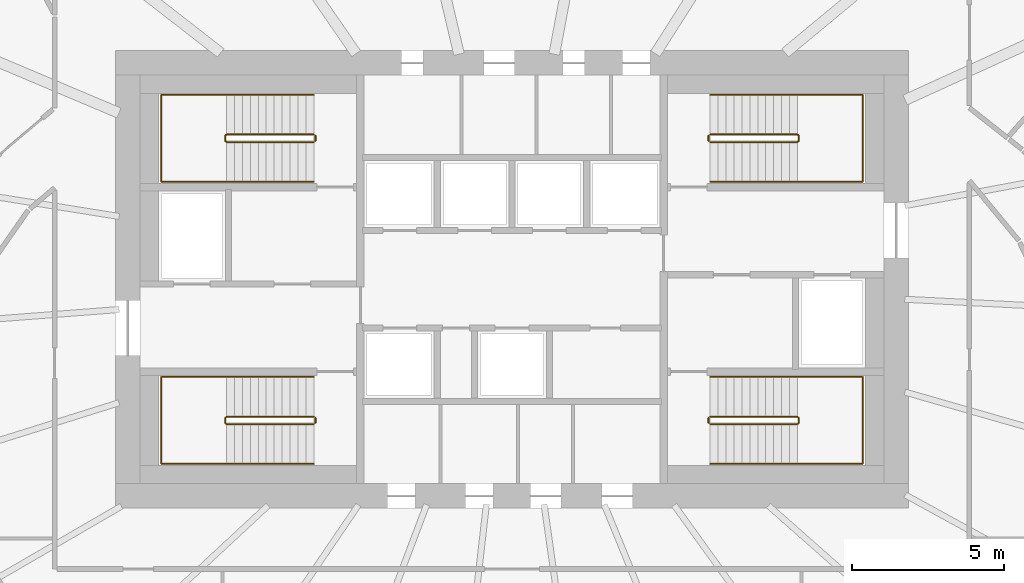
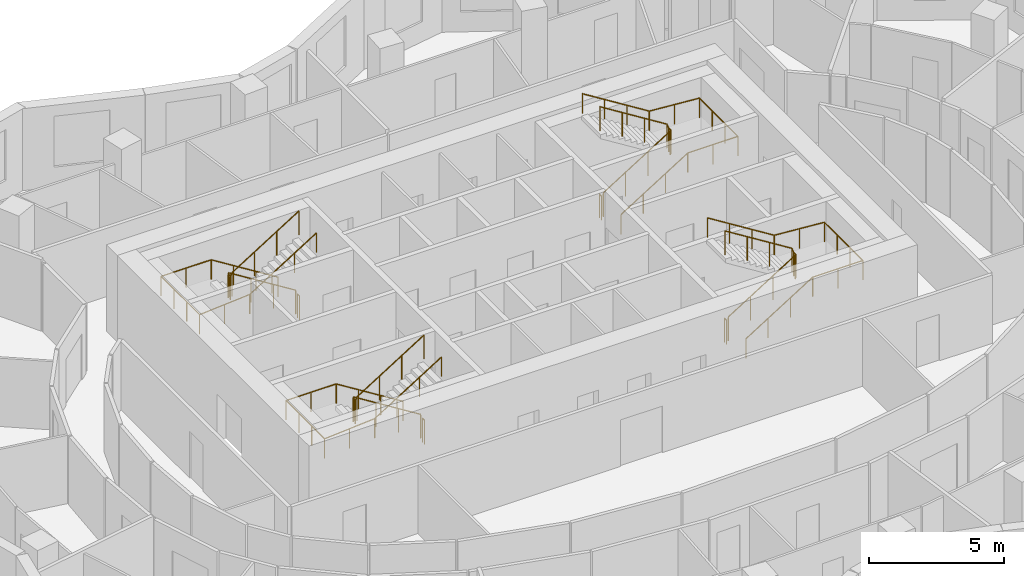
# One storey, part 11 of 11: 12 railings.
"""IFC4 building model written with IfcOpenShell, lengths in metres."""

from ifc_helpers import new_model, si_unit, direction, frame, origin, origin_2d, place, context, subcontext, project, spatial, circle, extrude, material, type_object, element, save


model = new_model("IFC4")

# Units and contexts
model_context = context("Model", 3, precision=1e-05, world=origin(), true_north=direction((0.0, 1.0)))
body_context = subcontext(model_context, "Body", "Model", "MODEL_VIEW")
ifc_project = project(units=[si_unit("LENGTHUNIT", "METRE"), si_unit("AREAUNIT", "SQUARE_METRE"), si_unit("VOLUMEUNIT", "CUBIC_METRE"), si_unit("PLANEANGLEUNIT", "RADIAN"), si_unit("MASSUNIT", "GRAM", prefix="KILO")], contexts=[model_context])

# Site, building, storey
site_placement = place(None, origin())
site = spatial("IfcSite", under=ifc_project, at=site_placement, CompositionType="ELEMENT")
building_placement = place(site_placement, origin())
building = spatial("IfcBuilding", under=site, at=building_placement, Name="Rubra Terraces Tower", CompositionType="ELEMENT")
storey_placement = place(building_placement, frame((0.0, 0.0, 177.89990234375)))
storey = spatial("IfcBuildingStorey", under=building, at=storey_placement, Name="L43", CompositionType="ELEMENT", Elevation=177.89990234375)

# Railings
ifc_material = material(Name="Stainless steel", Category="steel")
railing_type_1 = type_object("IfcRailingType", Name="Core stair guard 1100", PredefinedType="GUARDRAIL", material=ifc_material)
railing_1_placement = place(storey_placement, frame((-6.5, 0.0, 0.16259765625)))
element("IfcRailing", 1, at=railing_1_placement, inside=storey, type_object=railing_type_1, Name="L43 stair S1 guard 1", PredefinedType="GUARDRAIL", context=body_context, shape_type="SweptSolid", body=[
    extrude(circle(Radius=0.02392578125, at=origin_2d()), frame((0.0, 0.0, 1.076171875), z_axis=(-0.847994237388, 0.0, 0.530005446535), x_axis=(0.0, -1.0, 0.0)), (0.0, 0.0, 1.0), 3.372802734375),
    extrude(circle(Radius=0.02392578125, at=origin_2d()), frame((-2.860107421875, 0.0, 2.86376953125), z_axis=(-0.705375805398, -0.708833529934, 0.0), x_axis=(0.708833529934, -0.705375805398, 0.0)), (0.0, 0.0, 1.0), 0.070556640625),
    extrude(circle(Radius=0.02392578125, at=origin_2d()), frame((-2.909912109375, -0.050048828125, 2.86376953125), z_axis=(0.0, -1.0, 0.0), x_axis=(1.0, 0.0, 0.0)), (0.0, 0.0, 1.0), 0.14990234375),
    extrude(circle(Radius=0.02392578125, at=origin_2d()), frame((-2.909912109375, -0.199951171875, 2.86376953125), z_axis=(0.281314826061, -0.282693820306, 0.917031173188), x_axis=(0.708833529934, 0.705375805398, 0.0)), (0.0, 0.0, 1.0), 0.177001953125),
    extrude(circle(Radius=0.02392578125, at=origin_2d()), frame((-2.860107421875, -0.25, 3.02587890625), z_axis=(0.847994237388, 0.0, 0.530005446535), x_axis=(0.0, 1.0, 0.0)), (0.0, 0.0, 1.0), 3.372802734375),
    extrude(circle(Radius=0.02099609375, at=origin_2d()), origin(), (0.0, 0.0, 1.0), 1.052001953125),
    extrude(circle(Radius=0.02099609375, at=origin_2d()), frame((-0.953369140625, 0.0, 0.595947265625)), (0.0, 0.0, 1.0), 1.052001953125),
    extrude(circle(Radius=0.02099609375, at=origin_2d()), frame((-1.90673828125, 0.0, 1.191650390625)), (0.0, 0.0, 1.0), 1.052001953125),
    extrude(circle(Radius=0.02099609375, at=origin_2d()), frame((-2.860107421875, 0.0, 1.78759765625)), (0.0, 0.0, 1.0), 1.052001953125),
    extrude(circle(Radius=0.02099609375, at=origin_2d()), frame((-2.909912109375, -0.050048828125, 1.78759765625)), (0.0, 0.0, 1.0), 1.052001953125),
    extrude(circle(Radius=0.02099609375, at=origin_2d()), frame((-2.909912109375, -0.199951171875, 1.78759765625)), (0.0, 0.0, 1.0), 1.052001953125),
    extrude(circle(Radius=0.02099609375, at=origin_2d()), frame((-2.860107421875, -0.25, 1.949951171875)), (0.0, 0.0, 1.0), 1.052001953125),
    extrude(circle(Radius=0.02099609375, at=origin_2d()), frame((-1.90673828125, -0.25, 2.5458984375)), (0.0, 0.0, 1.0), 1.052001953125),
    extrude(circle(Radius=0.02099609375, at=origin_2d()), frame((-0.953369140625, -0.25, 3.1416015625)), (0.0, 0.0, 1.0), 1.052001953125),
    extrude(circle(Radius=0.02099609375, at=origin_2d()), frame((0.0, -0.25, 3.737548828125)), (0.0, 0.0, 1.0), 1.052001953125),
])
railing_2_placement = place(storey_placement, frame((-6.449951171875, -0.050048828125, 0.0)))
element("IfcRailing", 2, at=railing_2_placement, inside=storey, type_object=railing_type_1, Name="L43 stair S1 guard 2", PredefinedType="GUARDRAIL", context=body_context, shape_type="SweptSolid", body=[
    extrude(circle(Radius=0.02392578125, at=origin_2d()), frame((0.0, 0.0, 1.076171875), z_axis=(0.0, -1.0, 0.0), x_axis=(1.0, 0.0, 0.0)), (0.0, 0.0, 1.0), 0.14990234375),
    extrude(circle(Radius=0.02099609375, at=origin_2d()), origin(), (0.0, 0.0, 1.0), 1.052001953125),
    extrude(circle(Radius=0.02099609375, at=origin_2d()), frame((0.0, -0.14990234375, 0.0)), (0.0, 0.0, 1.0), 1.052001953125),
])
railing_3_placement = place(storey_placement, frame((-6.5, 9.25, 0.16259765625)))
element("IfcRailing", 3, at=railing_3_placement, inside=storey, type_object=railing_type_1, Name="L43 stair S2 guard 1", PredefinedType="GUARDRAIL", context=body_context, shape_type="SweptSolid", body=[
    extrude(circle(Radius=0.02392578125, at=origin_2d()), frame((0.0, 0.0, 1.076171875), z_axis=(-0.847994237388, 0.0, 0.530005446535), x_axis=(0.0, -1.0, 0.0)), (0.0, 0.0, 1.0), 3.372802734375),
    extrude(circle(Radius=0.02392578125, at=origin_2d()), frame((-2.860107421875, 0.0, 2.86376953125), z_axis=(-0.705375805398, -0.708833529934, 0.0), x_axis=(0.708833529934, -0.705375805398, 0.0)), (0.0, 0.0, 1.0), 0.070556640625),
    extrude(circle(Radius=0.02392578125, at=origin_2d()), frame((-2.909912109375, -0.050048828125, 2.86376953125), z_axis=(0.0, -1.0, 0.0), x_axis=(1.0, 0.0, 0.0)), (0.0, 0.0, 1.0), 0.14990234375),
    extrude(circle(Radius=0.02392578125, at=origin_2d()), frame((-2.909912109375, -0.199951171875, 2.86376953125), z_axis=(0.281314826061, -0.282693820306, 0.917031173188), x_axis=(0.708833529934, 0.705375805398, 0.0)), (0.0, 0.0, 1.0), 0.177001953125),
    extrude(circle(Radius=0.02392578125, at=origin_2d()), frame((-2.860107421875, -0.25, 3.02587890625), z_axis=(0.847994237388, 0.0, 0.530005446535), x_axis=(0.0, 1.0, 0.0)), (0.0, 0.0, 1.0), 3.372802734375),
    extrude(circle(Radius=0.02099609375, at=origin_2d()), origin(), (0.0, 0.0, 1.0), 1.052001953125),
    extrude(circle(Radius=0.02099609375, at=origin_2d()), frame((-0.953369140625, 0.0, 0.595947265625)), (0.0, 0.0, 1.0), 1.052001953125),
    extrude(circle(Radius=0.02099609375, at=origin_2d()), frame((-1.90673828125, 0.0, 1.191650390625)), (0.0, 0.0, 1.0), 1.052001953125),
    extrude(circle(Radius=0.02099609375, at=origin_2d()), frame((-2.860107421875, 0.0, 1.78759765625)), (0.0, 0.0, 1.0), 1.052001953125),
    extrude(circle(Radius=0.02099609375, at=origin_2d()), frame((-2.909912109375, -0.050048828125, 1.78759765625)), (0.0, 0.0, 1.0), 1.052001953125),
    extrude(circle(Radius=0.02099609375, at=origin_2d()), frame((-2.909912109375, -0.199951171875, 1.78759765625)), (0.0, 0.0, 1.0), 1.052001953125),
    extrude(circle(Radius=0.02099609375, at=origin_2d()), frame((-2.860107421875, -0.25, 1.949951171875)), (0.0, 0.0, 1.0), 1.052001953125),
    extrude(circle(Radius=0.02099609375, at=origin_2d()), frame((-1.90673828125, -0.25, 2.5458984375)), (0.0, 0.0, 1.0), 1.052001953125),
    extrude(circle(Radius=0.02099609375, at=origin_2d()), frame((-0.953369140625, -0.25, 3.1416015625)), (0.0, 0.0, 1.0), 1.052001953125),
    extrude(circle(Radius=0.02099609375, at=origin_2d()), frame((0.0, -0.25, 3.737548828125)), (0.0, 0.0, 1.0), 1.052001953125),
])
railing_4_placement = place(storey_placement, frame((-6.449951171875, 9.199951171875, 0.0)))
element("IfcRailing", 4, at=railing_4_placement, inside=storey, type_object=railing_type_1, Name="L43 stair S2 guard 2", PredefinedType="GUARDRAIL", context=body_context, shape_type="SweptSolid", body=[
    extrude(circle(Radius=0.02392578125, at=origin_2d()), frame((0.0, 0.0, 1.076171875), z_axis=(0.0, -1.0, 0.0), x_axis=(1.0, 0.0, 0.0)), (0.0, 0.0, 1.0), 0.14990234375),
    extrude(circle(Radius=0.02099609375, at=origin_2d()), origin(), (0.0, 0.0, 1.0), 1.052001953125),
    extrude(circle(Radius=0.02099609375, at=origin_2d()), frame((0.0, -0.14990234375, 0.0)), (0.0, 0.0, 1.0), 1.052001953125),
])
railing_5_placement = place(storey_placement, frame((6.5, 9.0, 0.16259765625)))
element("IfcRailing", 5, at=railing_5_placement, inside=storey, type_object=railing_type_1, Name="L43 stair S3 guard 1", PredefinedType="GUARDRAIL", context=body_context, shape_type="SweptSolid", body=[
    extrude(circle(Radius=0.02392578125, at=origin_2d()), frame((0.0, 0.0, 1.076171875), z_axis=(0.847994237388, 0.0, 0.530005446535), x_axis=(0.0, 1.0, 0.0)), (0.0, 0.0, 1.0), 3.372802734375),
    extrude(circle(Radius=0.02392578125, at=origin_2d()), frame((2.860107421875, 0.0, 2.86376953125), z_axis=(0.705375805398, 0.708833529934, 0.0), x_axis=(-0.708833529934, 0.705375805398, 0.0)), (0.0, 0.0, 1.0), 0.070556640625),
    extrude(circle(Radius=0.02392578125, at=origin_2d()), frame((2.909912109375, 0.050048828125, 2.86376953125), z_axis=(0.0, 1.0, 0.0), x_axis=(-1.0, 0.0, 0.0)), (0.0, 0.0, 1.0), 0.14990234375),
    extrude(circle(Radius=0.02392578125, at=origin_2d()), frame((2.909912109375, 0.199951171875, 2.86376953125), z_axis=(-0.281314826061, 0.282693820306, 0.917031173188), x_axis=(-0.708833529934, -0.705375805398, 0.0)), (0.0, 0.0, 1.0), 0.177001953125),
    extrude(circle(Radius=0.02392578125, at=origin_2d()), frame((2.860107421875, 0.25, 3.02587890625), z_axis=(-0.847994237388, 0.0, 0.530005446535), x_axis=(0.0, -1.0, 0.0)), (0.0, 0.0, 1.0), 3.372802734375),
    extrude(circle(Radius=0.02099609375, at=origin_2d()), origin(), (0.0, 0.0, 1.0), 1.052001953125),
    extrude(circle(Radius=0.02099609375, at=origin_2d()), frame((0.953369140625, 0.0, 0.595947265625)), (0.0, 0.0, 1.0), 1.052001953125),
    extrude(circle(Radius=0.02099609375, at=origin_2d()), frame((1.90673828125, 0.0, 1.191650390625)), (0.0, 0.0, 1.0), 1.052001953125),
    extrude(circle(Radius=0.02099609375, at=origin_2d()), frame((2.860107421875, 0.0, 1.78759765625)), (0.0, 0.0, 1.0), 1.052001953125),
    extrude(circle(Radius=0.02099609375, at=origin_2d()), frame((2.909912109375, 0.050048828125, 1.78759765625)), (0.0, 0.0, 1.0), 1.052001953125),
    extrude(circle(Radius=0.02099609375, at=origin_2d()), frame((2.909912109375, 0.199951171875, 1.78759765625)), (0.0, 0.0, 1.0), 1.052001953125),
    extrude(circle(Radius=0.02099609375, at=origin_2d()), frame((2.860107421875, 0.25, 1.949951171875)), (0.0, 0.0, 1.0), 1.052001953125),
    extrude(circle(Radius=0.02099609375, at=origin_2d()), frame((1.90673828125, 0.25, 2.5458984375)), (0.0, 0.0, 1.0), 1.052001953125),
    extrude(circle(Radius=0.02099609375, at=origin_2d()), frame((0.953369140625, 0.25, 3.1416015625)), (0.0, 0.0, 1.0), 1.052001953125),
    extrude(circle(Radius=0.02099609375, at=origin_2d()), frame((0.0, 0.25, 3.737548828125)), (0.0, 0.0, 1.0), 1.052001953125),
])
railing_6_placement = place(storey_placement, frame((6.449951171875, 9.050048828125, 0.0)))
element("IfcRailing", 6, at=railing_6_placement, inside=storey, type_object=railing_type_1, Name="L43 stair S3 guard 2", PredefinedType="GUARDRAIL", context=body_context, shape_type="SweptSolid", body=[
    extrude(circle(Radius=0.02392578125, at=origin_2d()), frame((0.0, 0.0, 1.076171875), z_axis=(0.0, 1.0, 0.0), x_axis=(-1.0, 0.0, 0.0)), (0.0, 0.0, 1.0), 0.14990234375),
    extrude(circle(Radius=0.02099609375, at=origin_2d()), origin(), (0.0, 0.0, 1.0), 1.052001953125),
    extrude(circle(Radius=0.02099609375, at=origin_2d()), frame((0.0, 0.14990234375, 0.0)), (0.0, 0.0, 1.0), 1.052001953125),
])
railing_7_placement = place(storey_placement, frame((6.5, -0.25, 0.16259765625)))
element("IfcRailing", 7, at=railing_7_placement, inside=storey, type_object=railing_type_1, Name="L43 stair S4 guard 1", PredefinedType="GUARDRAIL", context=body_context, shape_type="SweptSolid", body=[
    extrude(circle(Radius=0.02392578125, at=origin_2d()), frame((0.0, 0.0, 1.076171875), z_axis=(0.847994237388, 0.0, 0.530005446535), x_axis=(0.0, 1.0, 0.0)), (0.0, 0.0, 1.0), 3.372802734375),
    extrude(circle(Radius=0.02392578125, at=origin_2d()), frame((2.860107421875, 0.0, 2.86376953125), z_axis=(0.705375805398, 0.708833529934, 0.0), x_axis=(-0.708833529934, 0.705375805398, 0.0)), (0.0, 0.0, 1.0), 0.070556640625),
    extrude(circle(Radius=0.02392578125, at=origin_2d()), frame((2.909912109375, 0.050048828125, 2.86376953125), z_axis=(0.0, 1.0, 0.0), x_axis=(-1.0, 0.0, 0.0)), (0.0, 0.0, 1.0), 0.14990234375),
    extrude(circle(Radius=0.02392578125, at=origin_2d()), frame((2.909912109375, 0.199951171875, 2.86376953125), z_axis=(-0.281314826061, 0.282693820306, 0.917031173188), x_axis=(-0.708833529934, -0.705375805398, 0.0)), (0.0, 0.0, 1.0), 0.177001953125),
    extrude(circle(Radius=0.02392578125, at=origin_2d()), frame((2.860107421875, 0.25, 3.02587890625), z_axis=(-0.847994237388, 0.0, 0.530005446535), x_axis=(0.0, -1.0, 0.0)), (0.0, 0.0, 1.0), 3.372802734375),
    extrude(circle(Radius=0.02099609375, at=origin_2d()), origin(), (0.0, 0.0, 1.0), 1.052001953125),
    extrude(circle(Radius=0.02099609375, at=origin_2d()), frame((0.953369140625, 0.0, 0.595947265625)), (0.0, 0.0, 1.0), 1.052001953125),
    extrude(circle(Radius=0.02099609375, at=origin_2d()), frame((1.90673828125, 0.0, 1.191650390625)), (0.0, 0.0, 1.0), 1.052001953125),
    extrude(circle(Radius=0.02099609375, at=origin_2d()), frame((2.860107421875, 0.0, 1.78759765625)), (0.0, 0.0, 1.0), 1.052001953125),
    extrude(circle(Radius=0.02099609375, at=origin_2d()), frame((2.909912109375, 0.050048828125, 1.78759765625)), (0.0, 0.0, 1.0), 1.052001953125),
    extrude(circle(Radius=0.02099609375, at=origin_2d()), frame((2.909912109375, 0.199951171875, 1.78759765625)), (0.0, 0.0, 1.0), 1.052001953125),
    extrude(circle(Radius=0.02099609375, at=origin_2d()), frame((2.860107421875, 0.25, 1.949951171875)), (0.0, 0.0, 1.0), 1.052001953125),
    extrude(circle(Radius=0.02099609375, at=origin_2d()), frame((1.90673828125, 0.25, 2.5458984375)), (0.0, 0.0, 1.0), 1.052001953125),
    extrude(circle(Radius=0.02099609375, at=origin_2d()), frame((0.953369140625, 0.25, 3.1416015625)), (0.0, 0.0, 1.0), 1.052001953125),
    extrude(circle(Radius=0.02099609375, at=origin_2d()), frame((0.0, 0.25, 3.737548828125)), (0.0, 0.0, 1.0), 1.052001953125),
])
railing_8_placement = place(storey_placement, frame((6.449951171875, -0.199951171875, 0.0)))
element("IfcRailing", 8, at=railing_8_placement, inside=storey, type_object=railing_type_1, Name="L43 stair S4 guard 2", PredefinedType="GUARDRAIL", context=body_context, shape_type="SweptSolid", body=[
    extrude(circle(Radius=0.02392578125, at=origin_2d()), frame((0.0, 0.0, 1.076171875), z_axis=(0.0, 1.0, 0.0), x_axis=(-1.0, 0.0, 0.0)), (0.0, 0.0, 1.0), 0.14990234375),
    extrude(circle(Radius=0.02099609375, at=origin_2d()), origin(), (0.0, 0.0, 1.0), 1.052001953125),
    extrude(circle(Radius=0.02099609375, at=origin_2d()), frame((0.0, 0.14990234375, 0.0)), (0.0, 0.0, 1.0), 1.052001953125),
])
railing_type_2 = type_object("IfcRailingType", Name="Core stair handrail 900", PredefinedType="HANDRAIL", material=ifc_material)
railing_9_placement = place(storey_placement, frame((-6.5, 1.300048828125, 0.16259765625)))
element("IfcRailing", 9, at=railing_9_placement, inside=storey, type_object=railing_type_2, Name="L43 stair S1 handrail 1", PredefinedType="HANDRAIL", context=body_context, shape_type="SweptSolid", body=[
    extrude(circle(Radius=0.02392578125, at=origin_2d()), frame((0.0, 0.0, 0.8759765625), z_axis=(-0.847994237388, 0.0, 0.530005446535), x_axis=(0.0, -1.0, 0.0)), (0.0, 0.0, 1.0), 3.372802734375),
    extrude(circle(Radius=0.02392578125, at=origin_2d()), frame((-2.860107421875, 0.0, 2.66357421875), z_axis=(-1.0, 0.0, 0.0), x_axis=(0.0, -1.0, 0.0)), (0.0, 0.0, 1.0), 2.139892578125),
    extrude(circle(Radius=0.02392578125, at=origin_2d()), frame((-5.0, 0.0, 2.66357421875), z_axis=(0.0, -1.0, 0.0), x_axis=(1.0, 0.0, 0.0)), (0.0, 0.0, 1.0), 2.85009765625),
    extrude(circle(Radius=0.02392578125, at=origin_2d()), frame((-5.0, -2.85009765625, 2.66357421875), z_axis=(0.9971342424, 0.0, 0.075652512401), x_axis=(0.0, 1.0, 0.0)), (0.0, 0.0, 1.0), 2.14599609375),
    extrude(circle(Radius=0.02392578125, at=origin_2d()), frame((-2.860107421875, -2.85009765625, 2.82568359375), z_axis=(0.847994237388, 0.0, 0.530005446535), x_axis=(0.0, 1.0, 0.0)), (0.0, 0.0, 1.0), 3.372802734375),
    extrude(circle(Radius=0.02099609375, at=origin_2d()), origin(), (0.0, 0.0, 1.0), 0.851806640625),
    extrude(circle(Radius=0.02099609375, at=origin_2d()), frame((-0.953369140625, 0.0, 0.595947265625)), (0.0, 0.0, 1.0), 0.851806640625),
    extrude(circle(Radius=0.02099609375, at=origin_2d()), frame((-1.90673828125, 0.0, 1.191650390625)), (0.0, 0.0, 1.0), 0.851806640625),
    extrude(circle(Radius=0.02099609375, at=origin_2d()), frame((-2.860107421875, 0.0, 1.78759765625)), (0.0, 0.0, 1.0), 0.851806640625),
    extrude(circle(Radius=0.02099609375, at=origin_2d()), frame((-3.93017578125, 0.0, 1.78759765625)), (0.0, 0.0, 1.0), 0.851806640625),
    extrude(circle(Radius=0.02099609375, at=origin_2d()), frame((-5.0, 0.0, 1.78759765625)), (0.0, 0.0, 1.0), 0.851806640625),
    extrude(circle(Radius=0.02099609375, at=origin_2d()), frame((-5.0, -0.949951171875, 1.78759765625)), (0.0, 0.0, 1.0), 0.851806640625),
    extrude(circle(Radius=0.02099609375, at=origin_2d()), frame((-5.0, -1.900146484375, 1.78759765625)), (0.0, 0.0, 1.0), 0.851806640625),
    extrude(circle(Radius=0.02099609375, at=origin_2d()), frame((-5.0, -2.85009765625, 1.78759765625)), (0.0, 0.0, 1.0), 0.851806640625),
    extrude(circle(Radius=0.02099609375, at=origin_2d()), frame((-3.93017578125, -2.85009765625, 1.86865234375)), (0.0, 0.0, 1.0), 0.851806640625),
    extrude(circle(Radius=0.02099609375, at=origin_2d()), frame((-2.860107421875, -2.85009765625, 1.949951171875)), (0.0, 0.0, 1.0), 0.851806640625),
    extrude(circle(Radius=0.02099609375, at=origin_2d()), frame((-1.90673828125, -2.85009765625, 2.5458984375)), (0.0, 0.0, 1.0), 0.851806640625),
    extrude(circle(Radius=0.02099609375, at=origin_2d()), frame((-0.953369140625, -2.85009765625, 3.1416015625)), (0.0, 0.0, 1.0), 0.851806640625),
    extrude(circle(Radius=0.02099609375, at=origin_2d()), frame((0.0, -2.85009765625, 3.737548828125)), (0.0, 0.0, 1.0), 0.851806640625),
])
railing_10_placement = place(storey_placement, frame((-6.5, 10.550048828125, 0.16259765625)))
element("IfcRailing", 10, at=railing_10_placement, inside=storey, type_object=railing_type_2, Name="L43 stair S2 handrail 1", PredefinedType="HANDRAIL", context=body_context, shape_type="SweptSolid", body=[
    extrude(circle(Radius=0.02392578125, at=origin_2d()), frame((0.0, 0.0, 0.8759765625), z_axis=(-0.847994237388, 0.0, 0.530005446535), x_axis=(0.0, -1.0, 0.0)), (0.0, 0.0, 1.0), 3.372802734375),
    extrude(circle(Radius=0.02392578125, at=origin_2d()), frame((-2.860107421875, 0.0, 2.66357421875), z_axis=(-1.0, 0.0, 0.0), x_axis=(0.0, -1.0, 0.0)), (0.0, 0.0, 1.0), 2.139892578125),
    extrude(circle(Radius=0.02392578125, at=origin_2d()), frame((-5.0, 0.0, 2.66357421875), z_axis=(0.0, -1.0, 0.0), x_axis=(1.0, 0.0, 0.0)), (0.0, 0.0, 1.0), 2.85009765625),
    extrude(circle(Radius=0.02392578125, at=origin_2d()), frame((-5.0, -2.85009765625, 2.66357421875), z_axis=(0.9971342424, 0.0, 0.075652512401), x_axis=(0.0, 1.0, 0.0)), (0.0, 0.0, 1.0), 2.14599609375),
    extrude(circle(Radius=0.02392578125, at=origin_2d()), frame((-2.860107421875, -2.85009765625, 2.82568359375), z_axis=(0.847994237388, 0.0, 0.530005446535), x_axis=(0.0, 1.0, 0.0)), (0.0, 0.0, 1.0), 3.372802734375),
    extrude(circle(Radius=0.02099609375, at=origin_2d()), origin(), (0.0, 0.0, 1.0), 0.851806640625),
    extrude(circle(Radius=0.02099609375, at=origin_2d()), frame((-0.953369140625, 0.0, 0.595947265625)), (0.0, 0.0, 1.0), 0.851806640625),
    extrude(circle(Radius=0.02099609375, at=origin_2d()), frame((-1.90673828125, 0.0, 1.191650390625)), (0.0, 0.0, 1.0), 0.851806640625),
    extrude(circle(Radius=0.02099609375, at=origin_2d()), frame((-2.860107421875, 0.0, 1.78759765625)), (0.0, 0.0, 1.0), 0.851806640625),
    extrude(circle(Radius=0.02099609375, at=origin_2d()), frame((-3.93017578125, 0.0, 1.78759765625)), (0.0, 0.0, 1.0), 0.851806640625),
    extrude(circle(Radius=0.02099609375, at=origin_2d()), frame((-5.0, 0.0, 1.78759765625)), (0.0, 0.0, 1.0), 0.851806640625),
    extrude(circle(Radius=0.02099609375, at=origin_2d()), frame((-5.0, -0.949951171875, 1.78759765625)), (0.0, 0.0, 1.0), 0.851806640625),
    extrude(circle(Radius=0.02099609375, at=origin_2d()), frame((-5.0, -1.900146484375, 1.78759765625)), (0.0, 0.0, 1.0), 0.851806640625),
    extrude(circle(Radius=0.02099609375, at=origin_2d()), frame((-5.0, -2.85009765625, 1.78759765625)), (0.0, 0.0, 1.0), 0.851806640625),
    extrude(circle(Radius=0.02099609375, at=origin_2d()), frame((-3.93017578125, -2.85009765625, 1.86865234375)), (0.0, 0.0, 1.0), 0.851806640625),
    extrude(circle(Radius=0.02099609375, at=origin_2d()), frame((-2.860107421875, -2.85009765625, 1.949951171875)), (0.0, 0.0, 1.0), 0.851806640625),
    extrude(circle(Radius=0.02099609375, at=origin_2d()), frame((-1.90673828125, -2.85009765625, 2.5458984375)), (0.0, 0.0, 1.0), 0.851806640625),
    extrude(circle(Radius=0.02099609375, at=origin_2d()), frame((-0.953369140625, -2.85009765625, 3.1416015625)), (0.0, 0.0, 1.0), 0.851806640625),
    extrude(circle(Radius=0.02099609375, at=origin_2d()), frame((0.0, -2.85009765625, 3.737548828125)), (0.0, 0.0, 1.0), 0.851806640625),
])
railing_11_placement = place(storey_placement, frame((6.5, 7.699951171875, 0.16259765625)))
element("IfcRailing", 11, at=railing_11_placement, inside=storey, type_object=railing_type_2, Name="L43 stair S3 handrail 1", PredefinedType="HANDRAIL", context=body_context, shape_type="SweptSolid", body=[
    extrude(circle(Radius=0.02392578125, at=origin_2d()), frame((0.0, 0.0, 0.8759765625), z_axis=(0.847994237388, 0.0, 0.530005446535), x_axis=(0.0, 1.0, 0.0)), (0.0, 0.0, 1.0), 3.372802734375),
    extrude(circle(Radius=0.02392578125, at=origin_2d()), frame((2.860107421875, 0.0, 2.66357421875), z_axis=(1.0, 0.0, 0.0), x_axis=(0.0, 1.0, 0.0)), (0.0, 0.0, 1.0), 2.139892578125),
    extrude(circle(Radius=0.02392578125, at=origin_2d()), frame((5.0, 0.0, 2.66357421875), z_axis=(0.0, 1.0, 0.0), x_axis=(-1.0, 0.0, 0.0)), (0.0, 0.0, 1.0), 2.85009765625),
    extrude(circle(Radius=0.02392578125, at=origin_2d()), frame((5.0, 2.85009765625, 2.66357421875), z_axis=(-0.9971342424, 0.0, 0.075652512401), x_axis=(0.0, -1.0, 0.0)), (0.0, 0.0, 1.0), 2.14599609375),
    extrude(circle(Radius=0.02392578125, at=origin_2d()), frame((2.860107421875, 2.85009765625, 2.82568359375), z_axis=(-0.847994237388, 0.0, 0.530005446535), x_axis=(0.0, -1.0, 0.0)), (0.0, 0.0, 1.0), 3.372802734375),
    extrude(circle(Radius=0.02099609375, at=origin_2d()), origin(), (0.0, 0.0, 1.0), 0.851806640625),
    extrude(circle(Radius=0.02099609375, at=origin_2d()), frame((0.953369140625, 0.0, 0.595947265625)), (0.0, 0.0, 1.0), 0.851806640625),
    extrude(circle(Radius=0.02099609375, at=origin_2d()), frame((1.90673828125, 0.0, 1.191650390625)), (0.0, 0.0, 1.0), 0.851806640625),
    extrude(circle(Radius=0.02099609375, at=origin_2d()), frame((2.860107421875, 0.0, 1.78759765625)), (0.0, 0.0, 1.0), 0.851806640625),
    extrude(circle(Radius=0.02099609375, at=origin_2d()), frame((3.93017578125, 0.0, 1.78759765625)), (0.0, 0.0, 1.0), 0.851806640625),
    extrude(circle(Radius=0.02099609375, at=origin_2d()), frame((5.0, 0.0, 1.78759765625)), (0.0, 0.0, 1.0), 0.851806640625),
    extrude(circle(Radius=0.02099609375, at=origin_2d()), frame((5.0, 0.949951171875, 1.78759765625)), (0.0, 0.0, 1.0), 0.851806640625),
    extrude(circle(Radius=0.02099609375, at=origin_2d()), frame((5.0, 1.900146484375, 1.78759765625)), (0.0, 0.0, 1.0), 0.851806640625),
    extrude(circle(Radius=0.02099609375, at=origin_2d()), frame((5.0, 2.85009765625, 1.78759765625)), (0.0, 0.0, 1.0), 0.851806640625),
    extrude(circle(Radius=0.02099609375, at=origin_2d()), frame((3.93017578125, 2.85009765625, 1.86865234375)), (0.0, 0.0, 1.0), 0.851806640625),
    extrude(circle(Radius=0.02099609375, at=origin_2d()), frame((2.860107421875, 2.85009765625, 1.949951171875)), (0.0, 0.0, 1.0), 0.851806640625),
    extrude(circle(Radius=0.02099609375, at=origin_2d()), frame((1.90673828125, 2.85009765625, 2.5458984375)), (0.0, 0.0, 1.0), 0.851806640625),
    extrude(circle(Radius=0.02099609375, at=origin_2d()), frame((0.953369140625, 2.85009765625, 3.1416015625)), (0.0, 0.0, 1.0), 0.851806640625),
    extrude(circle(Radius=0.02099609375, at=origin_2d()), frame((0.0, 2.85009765625, 3.737548828125)), (0.0, 0.0, 1.0), 0.851806640625),
])
railing_12_placement = place(storey_placement, frame((6.5, -1.550048828125, 0.16259765625)))
element("IfcRailing", 12, at=railing_12_placement, inside=storey, type_object=railing_type_2, Name="L43 stair S4 handrail 1", PredefinedType="HANDRAIL", context=body_context, shape_type="SweptSolid", body=[
    extrude(circle(Radius=0.02392578125, at=origin_2d()), frame((0.0, 0.0, 0.8759765625), z_axis=(0.847994237388, 0.0, 0.530005446535), x_axis=(0.0, 1.0, 0.0)), (0.0, 0.0, 1.0), 3.372802734375),
    extrude(circle(Radius=0.02392578125, at=origin_2d()), frame((2.860107421875, 0.0, 2.66357421875), z_axis=(1.0, 0.0, 0.0), x_axis=(0.0, 1.0, 0.0)), (0.0, 0.0, 1.0), 2.139892578125),
    extrude(circle(Radius=0.02392578125, at=origin_2d()), frame((5.0, 0.0, 2.66357421875), z_axis=(0.0, 1.0, 0.0), x_axis=(-1.0, 0.0, 0.0)), (0.0, 0.0, 1.0), 2.85009765625),
    extrude(circle(Radius=0.02392578125, at=origin_2d()), frame((5.0, 2.85009765625, 2.66357421875), z_axis=(-0.9971342424, 0.0, 0.075652512401), x_axis=(0.0, -1.0, 0.0)), (0.0, 0.0, 1.0), 2.14599609375),
    extrude(circle(Radius=0.02392578125, at=origin_2d()), frame((2.860107421875, 2.85009765625, 2.82568359375), z_axis=(-0.847994237388, 0.0, 0.530005446535), x_axis=(0.0, -1.0, 0.0)), (0.0, 0.0, 1.0), 3.372802734375),
    extrude(circle(Radius=0.02099609375, at=origin_2d()), origin(), (0.0, 0.0, 1.0), 0.851806640625),
    extrude(circle(Radius=0.02099609375, at=origin_2d()), frame((0.953369140625, 0.0, 0.595947265625)), (0.0, 0.0, 1.0), 0.851806640625),
    extrude(circle(Radius=0.02099609375, at=origin_2d()), frame((1.90673828125, 0.0, 1.191650390625)), (0.0, 0.0, 1.0), 0.851806640625),
    extrude(circle(Radius=0.02099609375, at=origin_2d()), frame((2.860107421875, 0.0, 1.78759765625)), (0.0, 0.0, 1.0), 0.851806640625),
    extrude(circle(Radius=0.02099609375, at=origin_2d()), frame((3.93017578125, 0.0, 1.78759765625)), (0.0, 0.0, 1.0), 0.851806640625),
    extrude(circle(Radius=0.02099609375, at=origin_2d()), frame((5.0, 0.0, 1.78759765625)), (0.0, 0.0, 1.0), 0.851806640625),
    extrude(circle(Radius=0.02099609375, at=origin_2d()), frame((5.0, 0.949951171875, 1.78759765625)), (0.0, 0.0, 1.0), 0.851806640625),
    extrude(circle(Radius=0.02099609375, at=origin_2d()), frame((5.0, 1.900146484375, 1.78759765625)), (0.0, 0.0, 1.0), 0.851806640625),
    extrude(circle(Radius=0.02099609375, at=origin_2d()), frame((5.0, 2.85009765625, 1.78759765625)), (0.0, 0.0, 1.0), 0.851806640625),
    extrude(circle(Radius=0.02099609375, at=origin_2d()), frame((3.93017578125, 2.85009765625, 1.86865234375)), (0.0, 0.0, 1.0), 0.851806640625),
    extrude(circle(Radius=0.02099609375, at=origin_2d()), frame((2.860107421875, 2.85009765625, 1.949951171875)), (0.0, 0.0, 1.0), 0.851806640625),
    extrude(circle(Radius=0.02099609375, at=origin_2d()), frame((1.90673828125, 2.85009765625, 2.5458984375)), (0.0, 0.0, 1.0), 0.851806640625),
    extrude(circle(Radius=0.02099609375, at=origin_2d()), frame((0.953369140625, 2.85009765625, 3.1416015625)), (0.0, 0.0, 1.0), 0.851806640625),
    extrude(circle(Radius=0.02099609375, at=origin_2d()), frame((0.0, 2.85009765625, 3.737548828125)), (0.0, 0.0, 1.0), 0.851806640625),
])

save(model, "model.ifc")
